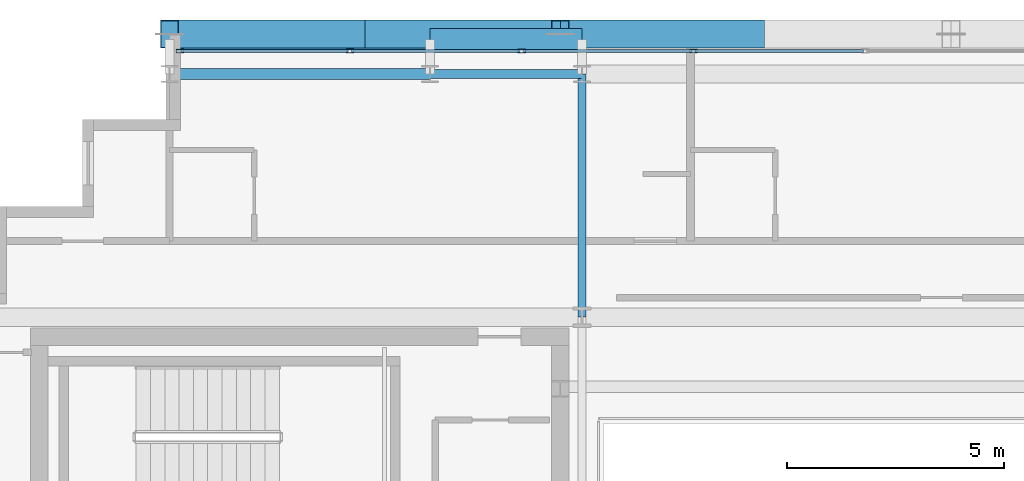
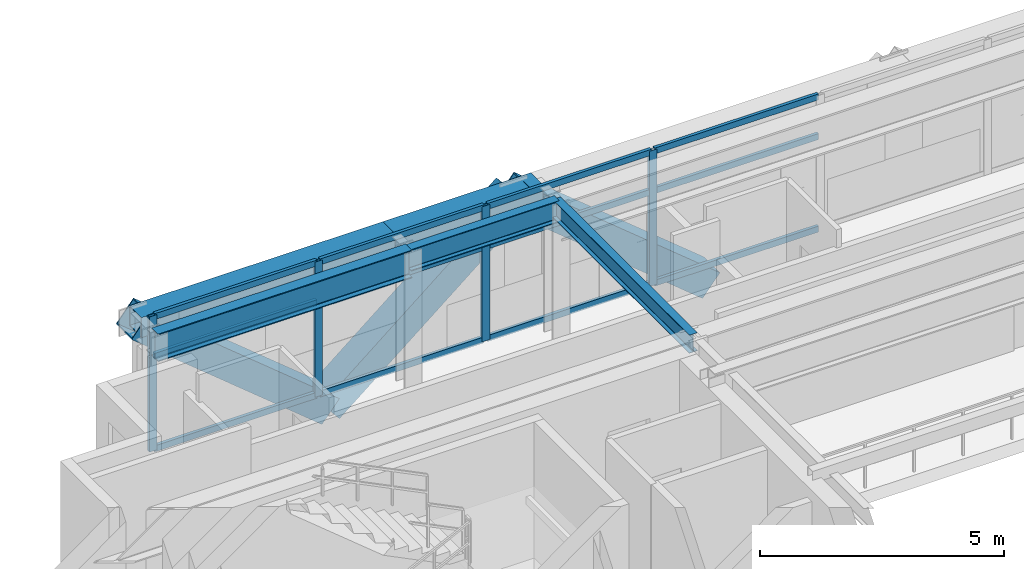
# One storey, part 15 of 29: 19 members, 5 beams, 1 element without a shape of its own.
"""IFC4 building model written with IfcOpenShell, lengths in metres."""

from ifc_helpers import new_model, si_unit, direction, frame, origin, origin_2d, place, context, subcontext, project, spatial, hollow_rectangle, i_section, extrude, source, transform, mapped, material, layer, layer_set, material_profile, profile_set, type_object, element, aggregate, save


model = new_model("IFC4")

# Units and contexts
model_context = context("Model", 3, precision=1e-05, world=origin(), true_north=direction((0.0, 1.0)))
body_context = subcontext(model_context, "Body", "Model", "MODEL_VIEW")
ifc_project = project(units=[si_unit("LENGTHUNIT", "METRE"), si_unit("AREAUNIT", "SQUARE_METRE"), si_unit("VOLUMEUNIT", "CUBIC_METRE"), si_unit("PLANEANGLEUNIT", "RADIAN"), si_unit("MASSUNIT", "GRAM", prefix="KILO")], contexts=[model_context])

# Site, building, storey
site_placement = place(None, origin())
site = spatial("IfcSite", under=ifc_project, at=site_placement, CompositionType="ELEMENT")
building_placement = place(site_placement, origin())
building = spatial("IfcBuilding", under=site, at=building_placement, Name="Ocotamira Hotel", CompositionType="ELEMENT")
storey_placement = place(building_placement, frame((0.0, 0.0, 247.199951171875)))
storey = spatial("IfcBuildingStorey", under=building, at=storey_placement, Name="L62", CompositionType="ELEMENT", Elevation=247.199951171875)

# Beams
ifc_material_1 = material(Name="Steel ASTM A992 Grade 50", Category="steel")
ifc_material_profile_1 = material_profile(ifc_material_1, i_section(OverallWidth=0.256103515625, OverallDepth=0.693115234375, WebThickness=0.014404296875, FlangeThickness=0.023681640625, FilletRadius=0.01611328125, at=origin_2d()), Name="W27X114")
ifc_profile_set_1 = profile_set([ifc_material_profile_1], Name="Steel ASTM A992 Grade 50")
beam_type_1 = type_object("IfcBeamType", Name="BM-PRIM-W27X114", PredefinedType="BEAM", material=ifc_profile_set_1)
shared_shape_1 = source(origin(), body_context, "Body", "SweptSolid", [
    extrude(i_section(OverallWidth=0.256103515625, OverallDepth=0.693115234375, WebThickness=0.014404296875, FlangeThickness=0.023681640625, FilletRadius=0.01611328125, at=origin_2d()), origin(), (0.0, 0.0, 1.0), 6.0),
])
beam_1_placement = place(storey_placement, frame((14.0, 43.050048828125, 3.033447265625), z_axis=(1.0, 0.0, 0.0), x_axis=(0.0, 1.0, 0.0)))
element("IfcBeam", 1, at=beam_1_placement, inside=storey, type_object=beam_type_1, Name="L62 Girder Y43.05 X14-20", PredefinedType="BEAM", context=body_context, shape_type="MappedRepresentation", body=[
    mapped(shared_shape_1, transform((0.0, 0.0, 0.0), scale=1.0)),
])
ifc_material_profile_2 = material_profile(ifc_material_1, i_section(OverallWidth=0.2099609375, OverallDepth=0.537109375, WebThickness=0.010986328125, FlangeThickness=0.017333984375, FilletRadius=0.012939453125, at=origin_2d()), Name="W21X68")
ifc_profile_set_2 = profile_set([ifc_material_profile_2], Name="Steel ASTM A992 Grade 50")
beam_type_2 = type_object("IfcBeamType", Name="BM-SEC-W21X68", PredefinedType="JOIST", material=ifc_profile_set_2)
shared_shape_2 = source(origin(), body_context, "Body", "SweptSolid", [
    extrude(i_section(OverallWidth=0.2099609375, OverallDepth=0.537109375, WebThickness=0.010986328125, FlangeThickness=0.017333984375, FilletRadius=0.012939453125, at=origin_2d()), origin(), (0.0, 0.0, 1.0), 3.5),
])
beam_2_placement = place(storey_placement, frame((20.0, 43.050048828125, 3.111572265625), z_axis=(1.0, 0.0, 0.0), x_axis=(0.0, 1.0, 0.0)))
element("IfcBeam", 2, at=beam_2_placement, inside=storey, type_object=beam_type_2, Name="L62 Girder Y43.05 X20-23.5", PredefinedType="JOIST", context=body_context, shape_type="MappedRepresentation", body=[
    mapped(shared_shape_2, transform((0.0, 0.0, 0.0), scale=1.0)),
])
ifc_material_2 = material(Name="Steel ASTM A500 Grade C", Category="steel")
ifc_material_profile_3 = material_profile(ifc_material_2, hollow_rectangle(XDim=0.5, YDim=0.5, WallThickness=0.02001953125, at=origin_2d()), Name="HSS500X500X20")
ifc_profile_set_3 = profile_set([ifc_material_profile_3], Name="Steel ASTM A500 Grade C")
beam_type_3 = type_object("IfcBeamType", Name="BM-SPAN-HSS500", PredefinedType="USERDEFINED", material=ifc_profile_set_3)
shared_shape_3 = source(origin(), body_context, "Body", "SweptSolid", [
    extrude(hollow_rectangle(XDim=0.5, YDim=0.5, WallThickness=0.02001953125, at=origin_2d()), origin(), (0.0, 0.0, 1.0), 6.0),
])
beam_3_placement = place(storey_placement, frame((14.0, 43.85009765625, 3.130126953125), z_axis=(1.0, 0.0, 0.0), x_axis=(0.0, 1.0, 0.0)))
element("IfcBeam", 3, at=beam_3_placement, inside=storey, type_object=beam_type_3, Name="L62 Edge Spandrel N X14-20", ObjectType="SPANDREL", PredefinedType="USERDEFINED", context=body_context, shape_type="MappedRepresentation", body=[
    mapped(shared_shape_3, transform((0.0, 0.0, 0.0), scale=1.0)),
])
shared_shape_4 = source(origin(), body_context, "Body", "SweptSolid", [
    extrude(hollow_rectangle(XDim=0.5, YDim=0.5, WallThickness=0.02001953125, at=origin_2d()), origin(), (0.0, 0.0, 1.0), 3.5),
])
beam_4_placement = place(storey_placement, frame((20.0, 43.85009765625, 3.130126953125), z_axis=(1.0, 0.0, 0.0), x_axis=(0.0, 1.0, 0.0)))
element("IfcBeam", 4, at=beam_4_placement, inside=storey, type_object=beam_type_3, Name="L62 Edge Spandrel N X20-23.5", ObjectType="SPANDREL", PredefinedType="USERDEFINED", context=body_context, shape_type="MappedRepresentation", body=[
    mapped(shared_shape_4, transform((0.0, 0.0, 0.0), scale=1.0)),
])
ifc_material_profile_4 = material_profile(ifc_material_1, i_section(OverallWidth=0.18994140625, OverallDepth=0.45703125, WebThickness=0.009033203125, FlangeThickness=0.014404296875, FilletRadius=0.010009765625, at=origin_2d()), Name="W18X50")
ifc_profile_set_4 = profile_set([ifc_material_profile_4], Name="Steel ASTM A992 Grade 50")
beam_type_4 = type_object("IfcBeamType", Name="BM-SEC-W18X50", PredefinedType="JOIST", material=ifc_profile_set_4)
shared_shape_5 = source(origin(), body_context, "Body", "SweptSolid", [
    extrude(i_section(OverallWidth=0.18994140625, OverallDepth=0.45703125, WebThickness=0.009033203125, FlangeThickness=0.014404296875, FilletRadius=0.010009765625, at=origin_2d()), origin(), (0.0, 0.0, 1.0), 5.60009765625),
])
beam_5_placement = place(storey_placement, frame((23.5, 37.449951171875, 3.151611328125), z_axis=(0.0, 1.0, 0.0), x_axis=(-1.0, 0.0, 0.0)))
element("IfcBeam", 5, at=beam_5_placement, inside=storey, type_object=beam_type_4, Name="L62 Beam X23.5 Y37.45-43.05", PredefinedType="JOIST", context=body_context, shape_type="MappedRepresentation", body=[
    mapped(shared_shape_5, transform((0.0, 0.0, 0.0), scale=1.0)),
])

# Members
ifc_material_3 = material(Name="Pale-metal coated steel ASTM A913 Grade 65", Category="steel")
ifc_material_profile_5 = material_profile(ifc_material_3, hollow_rectangle(XDim=0.64990234375, YDim=0.64990234375, WallThickness=0.02197265625, at=origin_2d()), Name="BOX650X650X22")
ifc_profile_set_5 = profile_set([ifc_material_profile_5], Name="Pale-metal coated steel ASTM A913 Grade 65")
member_type_1 = type_object("IfcMemberType", Name="MEM-EXO-BOX650", PredefinedType="BRACE", material=ifc_profile_set_5)
shared_shape_6 = source(origin(), body_context, "Body", "SweptSolid", [
    extrude(hollow_rectangle(XDim=0.64990234375, YDim=0.64990234375, WallThickness=0.02197265625, at=origin_2d()), origin(), (0.0, 0.0, 1.0), 5.825927734375),
])
for number, where, z_axis, x_axis, name in (
    (6, (18.5, 43.969970703125, -0.570068359375), (-0.772409039467, 0.0, 0.635125401593), (0.0, -1.0, 0.0), "L62 Exoskeleton Diagrid N0.1"),
    (7, (18.5, 43.969970703125, -0.570068359375), (0.772409039467, 0.0, 0.635125401593), (0.0, 1.0, 0.0), "L62 Exoskeleton Diagrid N0.2"),
    (8, (27.5, 43.969970703125, -0.570068359375), (-0.772409039467, 0.0, 0.635125401593), (0.0, -1.0, 0.0), "L62 Exoskeleton Diagrid N1.1"),
):
    element("IfcMember", number, at=place(storey_placement, frame(where, z_axis=z_axis, x_axis=x_axis)), inside=storey, type_object=member_type_1, Name=name, PredefinedType="BRACE", context=body_context, shape_type="MappedRepresentation", body=[
        mapped(shared_shape_6, transform((0.0, 0.0, 0.0), scale=1.0)),
    ])

# Curtain wall, members
ifc_material_4 = material(Name="Anodised pale-metal aluminium and solar glass", Category="aluminium")
ifc_layer = layer(ifc_material_4, 0.239990234375)
ifc_layer_set = layer_set([ifc_layer], Name="Anodised pale-metal aluminium and solar glass")
curtain_wall_type = type_object("IfcCurtainWallType", Name="CW-SYS5-SKY", PredefinedType="NOTDEFINED", material=ifc_layer_set)
curtain_wall_placement = place(storey_placement, origin())
curtain_wall = element("IfcCurtainWall", 9, at=curtain_wall_placement, inside=storey, type_object=curtain_wall_type, Name="L62 Curtain Wall CW-5 CW-L62-N", PredefinedType="NOTDEFINED")
ifc_material_5 = material(Name="Anodised pale-metal aluminium 6063-T6", Category="aluminium")
ifc_material_profile_6 = material_profile(ifc_material_5, hollow_rectangle(XDim=0.074951171875, YDim=0.14990234375, WallThickness=0.006103515625, at=origin_2d()), Name="HSS150X75X6")
ifc_profile_set_6 = profile_set([ifc_material_profile_6], Name="Anodised pale-metal aluminium 6063-T6")
member_type_2 = type_object("IfcMemberType", Name="CWT-150X75", PredefinedType="USERDEFINED", material=ifc_profile_set_6)
shared_shape_7 = source(origin(), body_context, "Body", "SweptSolid", [
    extrude(hollow_rectangle(XDim=0.074951171875, YDim=0.14990234375, WallThickness=0.006103515625, at=origin_2d()), origin(), (0.0, 0.0, 1.0), 3.83544921875),
])
member_1_placement = place(storey_placement, frame((14.280029296875, 43.580078125, 0.03759765625), z_axis=(1.0, 0.0, 0.0), x_axis=(0.0, 1.0, 0.0)))
member_1 = element("IfcMember", 10, at=member_1_placement, type_object=member_type_2, Name="CW-5 transom 1.1", ObjectType="TRANSOM", PredefinedType="USERDEFINED", context=body_context, shape_type="MappedRepresentation", body=[
    mapped(shared_shape_7, transform((0.0, 0.0, 0.0), scale=1.0)),
])
member_2_placement = place(storey_placement, frame((14.280029296875, 43.580078125, 2.35009765625), z_axis=(1.0, 0.0, 0.0), x_axis=(0.0, 1.0, 0.0)))
member_2 = element("IfcMember", 11, at=member_2_placement, type_object=member_type_2, Name="CW-5 transom 1.2", ObjectType="TRANSOM", PredefinedType="USERDEFINED", context=body_context, shape_type="MappedRepresentation", body=[
    mapped(shared_shape_7, transform((0.0, 0.0, 0.0), scale=1.0)),
])
member_3_placement = place(storey_placement, frame((14.280029296875, 43.580078125, 3.342529296875), z_axis=(1.0, 0.0, 0.0), x_axis=(0.0, 1.0, 0.0)))
member_3 = element("IfcMember", 12, at=member_3_placement, type_object=member_type_2, Name="CW-5 transom 1.3", ObjectType="TRANSOM", PredefinedType="USERDEFINED", context=body_context, shape_type="MappedRepresentation", body=[
    mapped(shared_shape_7, transform((0.0, 0.0, 0.0), scale=1.0)),
])
shared_shape_8 = source(origin(), body_context, "Body", "SweptSolid", [
    extrude(hollow_rectangle(XDim=0.074951171875, YDim=0.14990234375, WallThickness=0.006103515625, at=origin_2d()), origin(), (0.0, 0.0, 1.0), 3.87548828125),
])
member_4_placement = place(storey_placement, frame((18.195556640625, 43.580078125, 0.03759765625), z_axis=(1.0, 0.0, 0.0), x_axis=(0.0, 1.0, 0.0)))
member_4 = element("IfcMember", 13, at=member_4_placement, type_object=member_type_2, Name="CW-5 transom 2.1", ObjectType="TRANSOM", PredefinedType="USERDEFINED", context=body_context, shape_type="MappedRepresentation", body=[
    mapped(shared_shape_8, transform((0.0, 0.0, 0.0), scale=1.0)),
])
member_5_placement = place(storey_placement, frame((18.195556640625, 43.580078125, 2.35009765625), z_axis=(1.0, 0.0, 0.0), x_axis=(0.0, 1.0, 0.0)))
member_5 = element("IfcMember", 14, at=member_5_placement, type_object=member_type_2, Name="CW-5 transom 2.2", ObjectType="TRANSOM", PredefinedType="USERDEFINED", context=body_context, shape_type="MappedRepresentation", body=[
    mapped(shared_shape_8, transform((0.0, 0.0, 0.0), scale=1.0)),
])
member_6_placement = place(storey_placement, frame((18.195556640625, 43.580078125, 3.342529296875), z_axis=(1.0, 0.0, 0.0), x_axis=(0.0, 1.0, 0.0)))
member_6 = element("IfcMember", 15, at=member_6_placement, type_object=member_type_2, Name="CW-5 transom 2.3", ObjectType="TRANSOM", PredefinedType="USERDEFINED", context=body_context, shape_type="MappedRepresentation", body=[
    mapped(shared_shape_8, transform((0.0, 0.0, 0.0), scale=1.0)),
])
member_7_placement = place(storey_placement, frame((22.151123046875, 43.580078125, 0.03759765625), z_axis=(1.0, 0.0, 0.0), x_axis=(0.0, 1.0, 0.0)))
member_7 = element("IfcMember", 16, at=member_7_placement, type_object=member_type_2, Name="CW-5 transom 3.1", ObjectType="TRANSOM", PredefinedType="USERDEFINED", context=body_context, shape_type="MappedRepresentation", body=[
    mapped(shared_shape_8, transform((0.0, 0.0, 0.0), scale=1.0)),
])
member_8_placement = place(storey_placement, frame((22.151123046875, 43.580078125, 2.35009765625), z_axis=(1.0, 0.0, 0.0), x_axis=(0.0, 1.0, 0.0)))
member_8 = element("IfcMember", 17, at=member_8_placement, type_object=member_type_2, Name="CW-5 transom 3.2", ObjectType="TRANSOM", PredefinedType="USERDEFINED", context=body_context, shape_type="MappedRepresentation", body=[
    mapped(shared_shape_8, transform((0.0, 0.0, 0.0), scale=1.0)),
])
member_9_placement = place(storey_placement, frame((22.151123046875, 43.580078125, 3.342529296875), z_axis=(1.0, 0.0, 0.0), x_axis=(0.0, 1.0, 0.0)))
member_9 = element("IfcMember", 18, at=member_9_placement, type_object=member_type_2, Name="CW-5 transom 3.3", ObjectType="TRANSOM", PredefinedType="USERDEFINED", context=body_context, shape_type="MappedRepresentation", body=[
    mapped(shared_shape_8, transform((0.0, 0.0, 0.0), scale=1.0)),
])
member_10_placement = place(storey_placement, frame((26.106689453125, 43.580078125, 0.03759765625), z_axis=(1.0, 0.0, 0.0), x_axis=(0.0, 1.0, 0.0)))
member_10 = element("IfcMember", 19, at=member_10_placement, type_object=member_type_2, Name="CW-5 transom 4.1", ObjectType="TRANSOM", PredefinedType="USERDEFINED", context=body_context, shape_type="MappedRepresentation", body=[
    mapped(shared_shape_8, transform((0.0, 0.0, 0.0), scale=1.0)),
])
member_11_placement = place(storey_placement, frame((26.106689453125, 43.580078125, 2.35009765625), z_axis=(1.0, 0.0, 0.0), x_axis=(0.0, 1.0, 0.0)))
member_11 = element("IfcMember", 20, at=member_11_placement, type_object=member_type_2, Name="CW-5 transom 4.2", ObjectType="TRANSOM", PredefinedType="USERDEFINED", context=body_context, shape_type="MappedRepresentation", body=[
    mapped(shared_shape_8, transform((0.0, 0.0, 0.0), scale=1.0)),
])
member_12_placement = place(storey_placement, frame((26.106689453125, 43.580078125, 3.342529296875), z_axis=(1.0, 0.0, 0.0), x_axis=(0.0, 1.0, 0.0)))
member_12 = element("IfcMember", 21, at=member_12_placement, type_object=member_type_2, Name="CW-5 transom 4.3", ObjectType="TRANSOM", PredefinedType="USERDEFINED", context=body_context, shape_type="MappedRepresentation", body=[
    mapped(shared_shape_8, transform((0.0, 0.0, 0.0), scale=1.0)),
])
ifc_material_profile_7 = material_profile(ifc_material_5, hollow_rectangle(XDim=0.080078125, YDim=0.179931640625, WallThickness=0.006103515625, at=origin_2d()), Name="HSS180X80X6")
ifc_profile_set_7 = profile_set([ifc_material_profile_7], Name="Anodised pale-metal aluminium 6063-T6")
member_type_3 = type_object("IfcMemberType", Name="CWM-180X75", PredefinedType="MULLION", material=ifc_profile_set_7)
shared_shape_9 = source(origin(), body_context, "Body", "SweptSolid", [
    extrude(hollow_rectangle(XDim=0.080078125, YDim=0.179931640625, WallThickness=0.006103515625, at=origin_2d()), origin(), (0.0, 0.0, 1.0), 3.380126953125),
])
member_13_placement = place(storey_placement, frame((14.239990234375, 43.580078125, 0.0), z_axis=(0.0, 0.0, 1.0), x_axis=(0.0, 1.0, 0.0)))
member_13 = element("IfcMember", 22, at=member_13_placement, type_object=member_type_3, Name="CW-5 mullion 1", PredefinedType="MULLION", context=body_context, shape_type="MappedRepresentation", body=[
    mapped(shared_shape_9, transform((0.0, 0.0, 0.0), scale=1.0)),
])
member_14_placement = place(storey_placement, frame((18.155517578125, 43.580078125, 0.0), z_axis=(0.0, 0.0, 1.0), x_axis=(0.0, 1.0, 0.0)))
member_14 = element("IfcMember", 23, at=member_14_placement, type_object=member_type_3, Name="CW-5 mullion 2", PredefinedType="MULLION", context=body_context, shape_type="MappedRepresentation", body=[
    mapped(shared_shape_9, transform((0.0, 0.0, 0.0), scale=1.0)),
])
member_15_placement = place(storey_placement, frame((22.111083984375, 43.580078125, 0.0), z_axis=(0.0, 0.0, 1.0), x_axis=(0.0, 1.0, 0.0)))
member_15 = element("IfcMember", 24, at=member_15_placement, type_object=member_type_3, Name="CW-5 mullion 3", PredefinedType="MULLION", context=body_context, shape_type="MappedRepresentation", body=[
    mapped(shared_shape_9, transform((0.0, 0.0, 0.0), scale=1.0)),
])
member_16_placement = place(storey_placement, frame((26.066650390625, 43.580078125, 0.0), z_axis=(0.0, 0.0, 1.0), x_axis=(0.0, 1.0, 0.0)))
member_16 = element("IfcMember", 25, at=member_16_placement, type_object=member_type_3, Name="CW-5 mullion 4", PredefinedType="MULLION", context=body_context, shape_type="MappedRepresentation", body=[
    mapped(shared_shape_9, transform((0.0, 0.0, 0.0), scale=1.0)),
])
aggregate(curtain_wall, [member_13, member_14, member_15, member_16, member_1, member_2, member_3, member_4, member_5, member_6, member_7, member_8, member_9, member_10, member_11, member_12])

save(model, "model.ifc")
